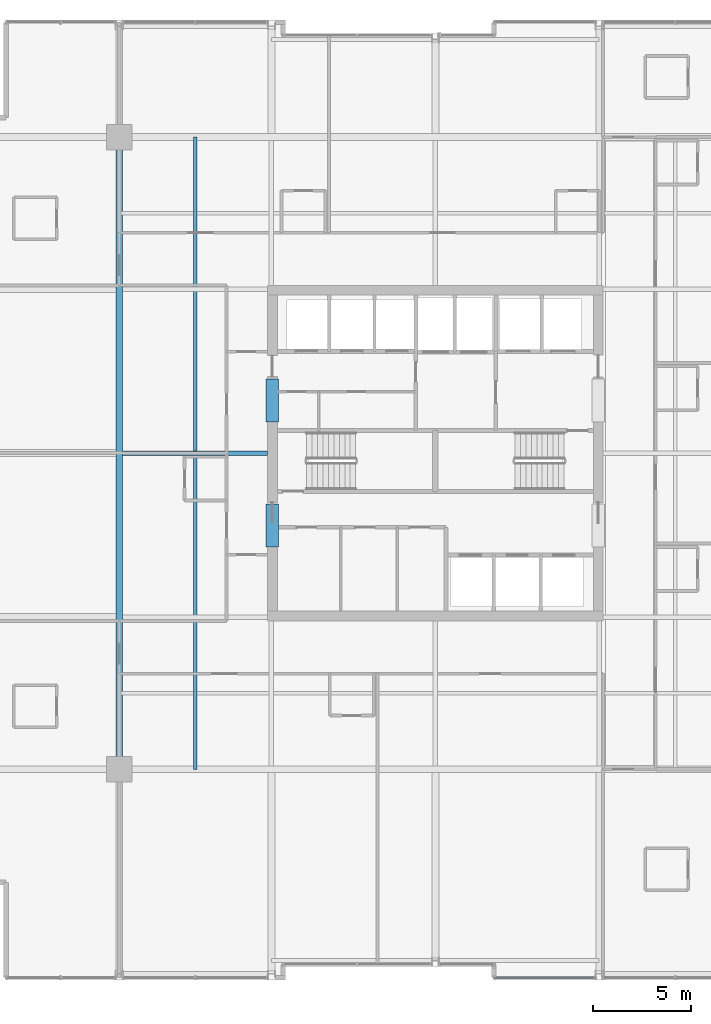
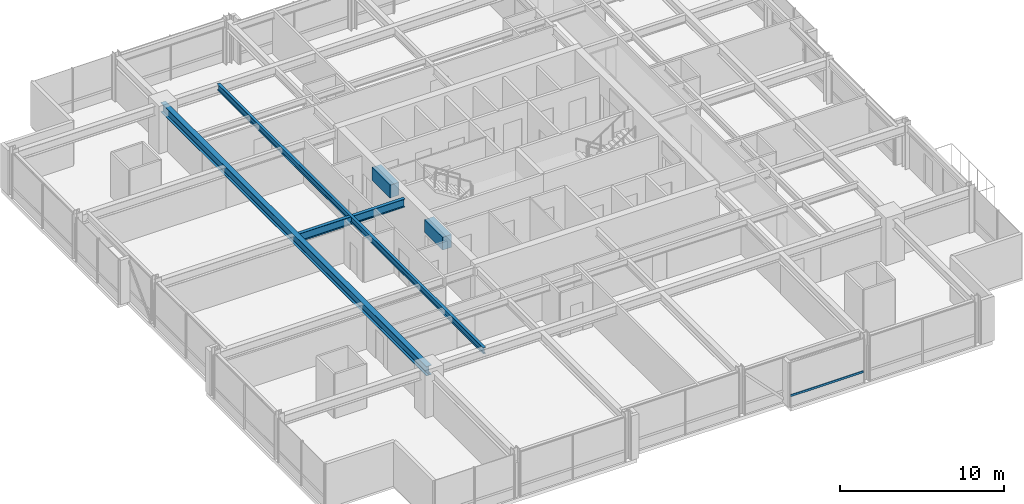
# One storey, part 10 of 33: 5 beams, 1 member, 1 element without a shape of its own.
"""IFC4 building model written with IfcOpenShell, lengths in metres."""

from ifc_helpers import new_model, si_unit, direction, frame, origin, origin_2d, place, context, subcontext, project, spatial, rectangle, hollow_rectangle, i_section, extrude, material, layer, layer_set, material_profile, profile_set, type_object, element, aggregate, save


model = new_model("IFC4")

# Units and contexts
model_context = context("Model", 3, precision=1e-05, world=origin(), true_north=direction((0.0, 1.0)))
body_context = subcontext(model_context, "Body", "Model", "MODEL_VIEW")
ifc_project = project(units=[si_unit("LENGTHUNIT", "METRE"), si_unit("AREAUNIT", "SQUARE_METRE"), si_unit("VOLUMEUNIT", "CUBIC_METRE"), si_unit("PLANEANGLEUNIT", "RADIAN"), si_unit("MASSUNIT", "GRAM", prefix="KILO")], contexts=[model_context])

# Site, building, storey
site_placement = place(None, origin())
site = spatial("IfcSite", under=ifc_project, at=site_placement, CompositionType="ELEMENT")
building_placement = place(site_placement, origin())
building = spatial("IfcBuilding", under=site, at=building_placement, Name="Drelvath Grand Hotel", CompositionType="ELEMENT")
storey_placement = place(building_placement, frame((0.0, 0.0, 161.050048828125)))
storey = spatial("IfcBuildingStorey", under=building, at=storey_placement, Name="L41", CompositionType="ELEMENT", Elevation=161.050048828125)

# Beams
ifc_material_1 = material(Name="Steel ASTM A992 Gr 50", Category="steel")
ifc_material_profile_1 = material_profile(ifc_material_1, i_section(OverallWidth=0.19140625, OverallDepth=0.4599609375, WebThickness=0.010009765625, FlangeThickness=0.01611328125, FilletRadius=0.01611328125, at=origin_2d()), Name="W18X55")
ifc_profile_set_1 = profile_set([ifc_material_profile_1], Name="Steel ASTM A992 Gr 50")
beam_type_1 = type_object("IfcBeamType", Name="Composite Floor Joist W18X55", PredefinedType="JOIST", material=ifc_profile_set_1)
beam_1_placement = place(storey_placement, frame((-12.300048828125, 10.800048828125, 3.06005859375), z_axis=(0.0, 1.0, 0.0), x_axis=(-1.0, 0.0, 0.0)))
element("IfcBeam", 1, at=beam_1_placement, inside=storey, type_object=beam_type_1, Name="L41 Wing Floor Joist J3", PredefinedType="JOIST", context=body_context, shape_type="SweptSolid", body=[
    extrude(i_section(OverallWidth=0.19140625, OverallDepth=0.4599609375, WebThickness=0.010009765625, FlangeThickness=0.01611328125, FilletRadius=0.01611328125, at=origin_2d()), origin(), (0.0, 0.0, 1.0), 32.39990234375),
])
ifc_material_2 = material(Name="Concrete f'c 55 MPa", Category="concrete")
ifc_material_profile_2 = material_profile(ifc_material_2, rectangle(XDim=0.64990234375, YDim=0.949951171875, at=origin_2d()), Name="CB650X950")
ifc_profile_set_2 = profile_set([ifc_material_profile_2], Name="Concrete f'c 55 MPa")
beam_type_2 = type_object("IfcBeamType", Name="Core Coupling Lintel CB650X950", PredefinedType="LINTEL", material=ifc_profile_set_2)
for number, where, z_axis, x_axis, name in (
    (2, (-8.35009765625, 22.199951171875, 2.81494140625), (0.0, 1.0, 0.0), (-1.0, 0.0, 0.0), "L41 Core Coupling Lintel WS"),
    (3, (-8.35009765625, 28.60009765625, 2.81494140625), (0.0, 1.0, 0.0), (-1.0, 0.0, 0.0), "L41 Core Coupling Lintel WN"),
):
    element("IfcBeam", number, at=place(storey_placement, frame(where, z_axis=z_axis, x_axis=x_axis)), inside=storey, type_object=beam_type_2, Name=name, PredefinedType="LINTEL", context=body_context, shape_type="SweptSolid", body=[
        extrude(rectangle(XDim=0.64990234375, YDim=0.949951171875, at=origin_2d()), origin(), (0.0, 0.0, 1.0), 2.199951171875),
    ])

# Curtain wall, member
ifc_material_3 = material(Name="Brushed Pale-Silver Anodised Aluminium Frame", Category="aluminium")
ifc_layer = layer(ifc_material_3, 0.199951171875)
ifc_layer_set = layer_set([ifc_layer], Name="Brushed Pale-Silver Anodised Aluminium Frame")
curtain_wall_type = type_object("IfcCurtainWallType", Name="Stick Curtain Wall CW-04 Brushed Silver Upper-Mid", PredefinedType="NOTDEFINED", material=ifc_layer_set)
curtain_wall_placement = place(storey_placement, origin())
curtain_wall = element("IfcCurtainWall", 4, at=curtain_wall_placement, inside=storey, type_object=curtain_wall_type, Name="L41 CW-04 Curtain Wall CW04-L41-SE1", PredefinedType="NOTDEFINED")
ifc_material_profile_3 = material_profile(ifc_material_3, hollow_rectangle(XDim=0.06494140625, YDim=0.159912109375, WallThickness=0.00390625, at=origin_2d()), Name="HSS160X65X4")
ifc_profile_set_3 = profile_set([ifc_material_profile_3], Name="Brushed Pale-Silver Anodised Aluminium Frame")
member_type = type_object("IfcMemberType", Name="Curtain Wall Horizontal Transom CW-04 HSS160X65X4", PredefinedType="USERDEFINED", material=ifc_profile_set_3)
member_placement = place(storey_placement, frame((8.159912109375, 0.1201171875, 0.822509765625), z_axis=(-1.0, 0.0, 0.0), x_axis=(0.0, -1.0, 0.0)))
member = element("IfcMember", 5, at=member_placement, type_object=member_type, Name="CW04-L41-SE1 Sill Transom", ObjectType="TRANSOM", PredefinedType="USERDEFINED", context=body_context, shape_type="SweptSolid", body=[
    extrude(hollow_rectangle(XDim=0.06494140625, YDim=0.159912109375, WallThickness=0.00390625, at=origin_2d()), origin(), (0.0, 0.0, 1.0), 5.119873046875),
])
aggregate(curtain_wall, [member])

# Beams
ifc_material_profile_4 = material_profile(ifc_material_1, i_section(OverallWidth=0.228271484375, OverallDepth=0.607666015625, WebThickness=0.01123046875, FlangeThickness=0.017333984375, FilletRadius=0.02001953125, at=origin_2d()), Name="W24X76")
ifc_profile_set_4 = profile_set([ifc_material_profile_4], Name="Steel ASTM A992 Gr 50")
beam_type_3 = type_object("IfcBeamType", Name="Primary Floor Girder W24X76", PredefinedType="BEAM", material=ifc_profile_set_4)
beam_2_placement = place(storey_placement, frame((-16.022705078125, 27.0, 2.986083984375), z_axis=(1.0, 0.0, 0.0), x_axis=(0.0, 1.0, 0.0)))
element("IfcBeam", 6, at=beam_2_placement, inside=storey, type_object=beam_type_3, Name="L41 West Core Tie E", PredefinedType="BEAM", context=body_context, shape_type="SweptSolid", body=[
    extrude(i_section(OverallWidth=0.228271484375, OverallDepth=0.607666015625, WebThickness=0.01123046875, FlangeThickness=0.017333984375, FilletRadius=0.02001953125, at=origin_2d()), origin(), (0.0, 0.0, 1.0), 7.422607421875),
])
ifc_material_profile_5 = material_profile(ifc_material_1, i_section(OverallWidth=0.354736328125, OverallDepth=0.695556640625, WebThickness=0.015380859375, FlangeThickness=0.025146484375, FilletRadius=0.02392578125, at=origin_2d()), Name="W27X146")
ifc_profile_set_5 = profile_set([ifc_material_profile_5], Name="Steel ASTM A992 Gr 50")
beam_type_4 = type_object("IfcBeamType", Name="Primary Floor Girder W27X146", PredefinedType="BEAM", material=ifc_profile_set_5)
beam_3_placement = place(storey_placement, frame((-16.199951171875, 10.800048828125, 2.942138671875), z_axis=(0.0, 1.0, 0.0), x_axis=(-1.0, 0.0, 0.0)))
element("IfcBeam", 7, at=beam_3_placement, inside=storey, type_object=beam_type_4, Name="L41 Mega Ring Girder West", PredefinedType="BEAM", context=body_context, shape_type="SweptSolid", body=[
    extrude(i_section(OverallWidth=0.354736328125, OverallDepth=0.695556640625, WebThickness=0.015380859375, FlangeThickness=0.025146484375, FilletRadius=0.02392578125, at=origin_2d()), origin(), (0.0, 0.0, 1.0), 32.39990234375),
])

save(model, "model.ifc")
